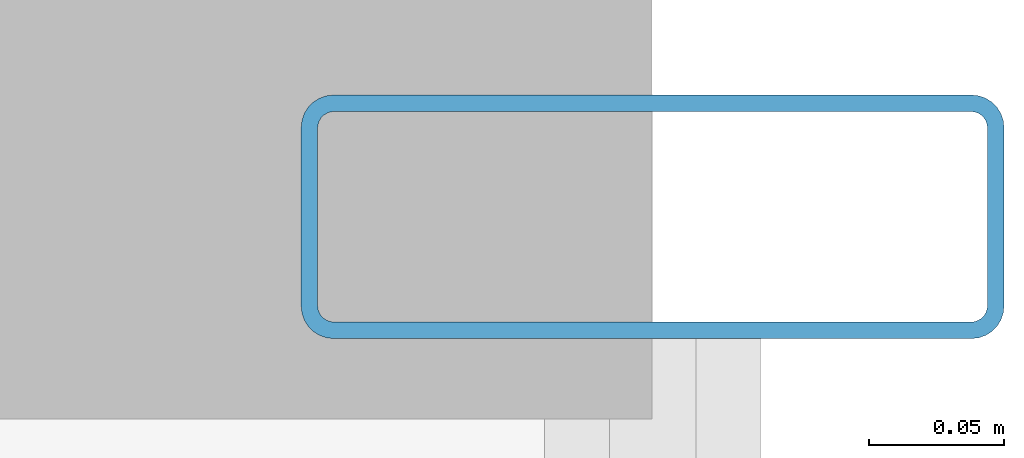
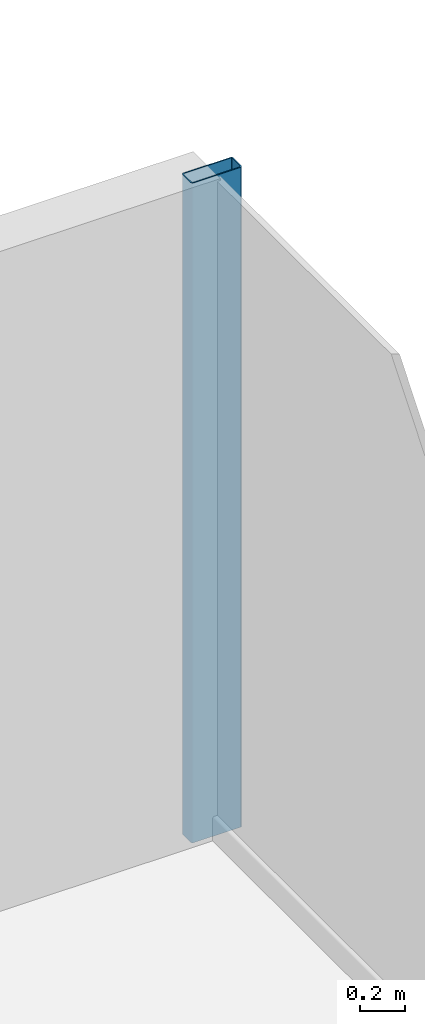
# One storey, part 18 of 25: 1 member, 1 element without a shape of its own.
"""IFC4 building model written with IfcOpenShell, lengths in metres."""

from ifc_helpers import new_model, si_unit, direction, frame, origin, origin_2d, place, context, subcontext, project, spatial, hollow_rectangle, extrude, source, transform, mapped, material, layer, layer_set, material_profile, profile_set, type_object, element, aggregate, save


model = new_model("IFC4")

# Units and contexts
model_context = context("Model", 3, precision=1e-05, world=origin(), true_north=direction((0.0, 1.0)))
body_context = subcontext(model_context, "Body", "Model", "MODEL_VIEW")
ifc_project = project(units=[si_unit("LENGTHUNIT", "METRE"), si_unit("AREAUNIT", "SQUARE_METRE"), si_unit("VOLUMEUNIT", "CUBIC_METRE"), si_unit("PLANEANGLEUNIT", "RADIAN"), si_unit("MASSUNIT", "GRAM", prefix="KILO")], contexts=[model_context])

# Site, building, storey
site_placement = place(None, origin())
site = spatial("IfcSite", under=ifc_project, at=site_placement, CompositionType="ELEMENT")
building_placement = place(site_placement, origin())
building = spatial("IfcBuilding", under=site, at=building_placement, Name="Nefas-Gora Pilgrimage Tower", CompositionType="ELEMENT")
storey_placement = place(building_placement, frame((0.0, 0.0, 71.0)))
storey = spatial("IfcBuildingStorey", under=building, at=storey_placement, Name="L16", CompositionType="ELEMENT", Elevation=71.0)

# Curtain wall, member
ifc_material_1 = material(Name="Dark ceramic-fritted solar-control aluminium-glass curtain wall", Category="aluminium")
ifc_layer = layer(ifc_material_1, 0.219970703125)
ifc_layer_set = layer_set([ifc_layer], Name="Dark ceramic-fritted solar-control aluminium-glass curtain wall")
curtain_wall_type = type_object("IfcCurtainWallType", Name="CW-SYS-2", PredefinedType="NOTDEFINED", material=ifc_layer_set)
curtain_wall_placement = place(storey_placement, origin())
curtain_wall = element("IfcCurtainWall", 1, at=curtain_wall_placement, inside=storey, type_object=curtain_wall_type, Name="L16 Unitised Curtain Wall CW2", PredefinedType="NOTDEFINED")
ifc_material_2 = material(Name="Anodised architectural aluminium", Category="aluminium")
ifc_material_profile = material_profile(ifc_material_2, hollow_rectangle(XDim=0.090087890625, YDim=0.260009765625, WallThickness=0.006103515625, InnerFilletRadius=0.006103515625, OuterFilletRadius=0.011962890625, at=origin_2d()), Name="ALU MULLION 90x260")
ifc_profile_set = profile_set([ifc_material_profile], Name="Anodised architectural aluminium")
member_type = type_object("IfcMemberType", Name="CWM-MUL-2", PredefinedType="MULLION", material=ifc_profile_set)
shared_shape = source(origin(), body_context, "Body", "SweptSolid", [
    extrude(hollow_rectangle(XDim=0.090087890625, YDim=0.260009765625, WallThickness=0.006103515625, InnerFilletRadius=0.006103515625, OuterFilletRadius=0.011962890625, at=origin_2d()), origin(), (0.0, 0.0, 1.0), 3.550048828125),
])
member_placement = place(storey_placement, frame((34.27001953125, 17.574951171875, 0.0), z_axis=(0.0, 0.0, 1.0), x_axis=(0.0, 1.0, 0.0)))
member = element("IfcMember", 2, at=member_placement, type_object=member_type, Name="CW2 Mullion 2", PredefinedType="MULLION", context=body_context, shape_type="MappedRepresentation", body=[
    mapped(shared_shape, transform((0.0, 0.0, 0.0), x_axis=(1.0, 0.0, 0.0), y_axis=(0.0, 1.0, 0.0), z_axis=(0.0, 0.0, 1.0), scale=1.0)),
])
aggregate(curtain_wall, [member])

save(model, "model.ifc")
